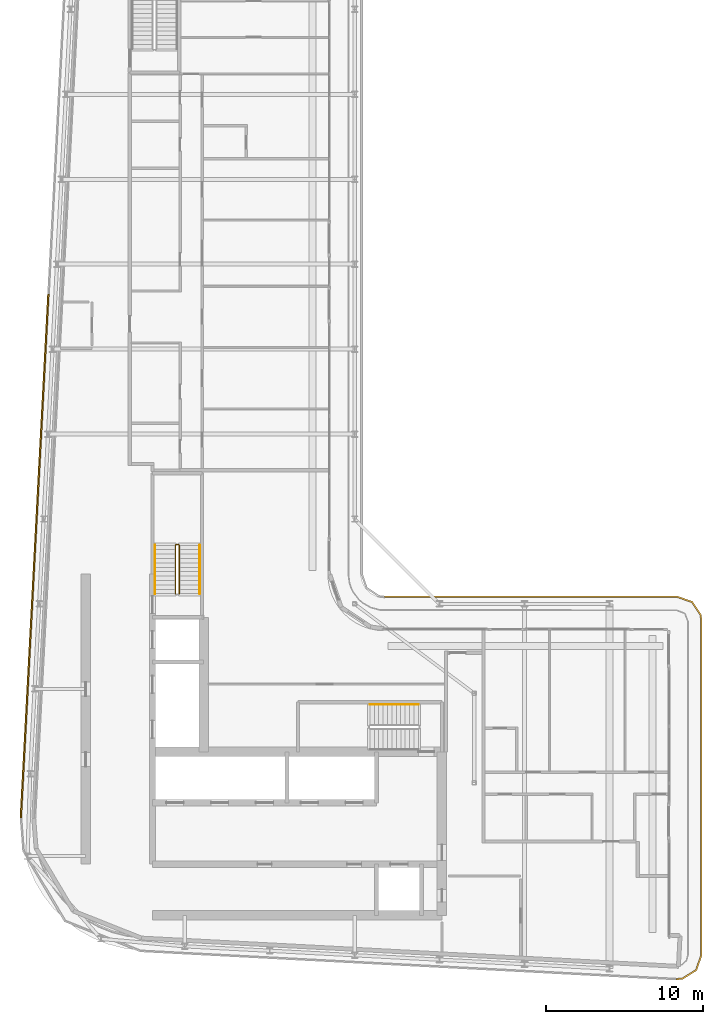
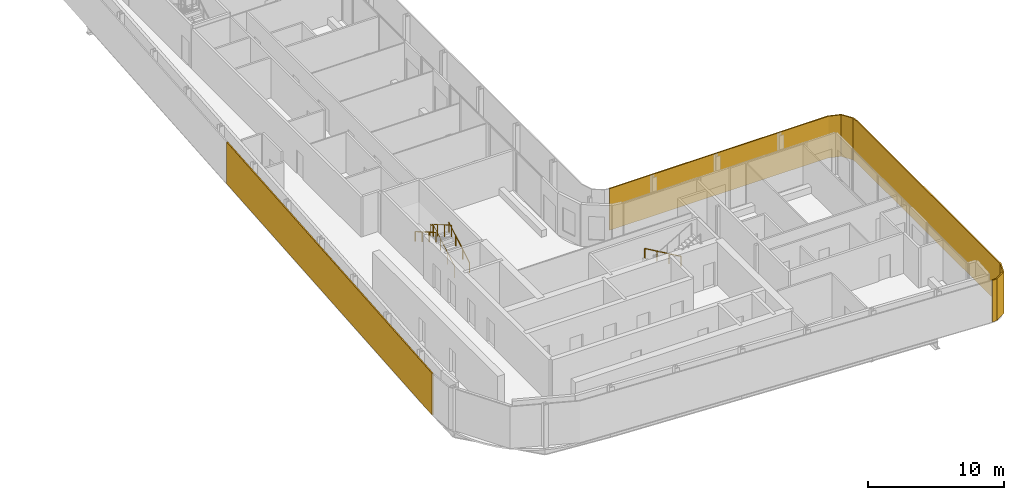
# One storey, part 18 of 21: 4 railings, 2 shading devices.
"""IFC4 building model written with IfcOpenShell, lengths in metres."""

from ifc_helpers import new_model, si_unit, direction, frame, origin, origin_2d, place, context, subcontext, project, spatial, polyline, rectangle, circle, outline, extrude, material, layer, layer_set, type_object, element, save


model = new_model("IFC4")

# Units and contexts
model_context = context("Model", 3, precision=1e-05, world=origin(), true_north=direction((0.0, 1.0)))
body_context = subcontext(model_context, "Body", "Model", "MODEL_VIEW")
ifc_project = project(units=[si_unit("LENGTHUNIT", "METRE"), si_unit("AREAUNIT", "SQUARE_METRE"), si_unit("VOLUMEUNIT", "CUBIC_METRE"), si_unit("PLANEANGLEUNIT", "RADIAN"), si_unit("MASSUNIT", "GRAM", prefix="KILO")], contexts=[model_context])

# Site, building, storey
site_placement = place(None, origin())
site = spatial("IfcSite", under=ifc_project, at=site_placement, CompositionType="ELEMENT")
building_placement = place(site_placement, origin())
building = spatial("IfcBuilding", under=site, at=building_placement, Name="Kheshtan School and Residences Tower", CompositionType="ELEMENT")
storey_placement = place(building_placement, frame((0.0, 0.0, 321.5)))
storey = spatial("IfcBuildingStorey", under=building, at=storey_placement, Name="L76", CompositionType="ELEMENT", Elevation=321.5)

# Shading devices
ifc_material_1 = material(Name="Terracotta baguette, extruded ceramic", Category="masonry")
ifc_layer_1 = layer(ifc_material_1, 0.10009765625)
ifc_layer_set_1 = layer_set([ifc_layer_1], Name="Ledge screen, terracotta baguettes")
shading_device_type_1 = type_object("IfcShadingDeviceType", Name="Ledge screen, terracotta baguettes", PredefinedType="USERDEFINED", material=ifc_layer_set_1)
shading_device_1_placement = place(storey_placement, frame((27.24609375, 48.638916015625, 0.0), z_axis=(0.0, 0.0, 1.0), x_axis=(0.052562536748, 0.998617634398, 0.0)))
element("IfcShadingDevice", 1, at=shading_device_1_placement, inside=storey, type_object=shading_device_type_1, Name="Screen L76 4", ObjectType="BAGUETTE", PredefinedType="USERDEFINED", context=body_context, shape_type="SweptSolid", body=[
    extrude(rectangle(XDim=33.341064453125, YDim=0.10009765625, at=origin_2d()), origin(), (0.0, 0.0, 1.0), 3.75),
])
ifc_material_2 = material(Name="Terracotta lattice, extruded ceramic", Category="masonry")
ifc_layer_2 = layer(ifc_material_2, 0.10009765625)
ifc_layer_set_2 = layer_set([ifc_layer_2], Name="Loggia screen, terracotta lattice")
shading_device_type_2 = type_object("IfcShadingDeviceType", Name="Loggia screen, terracotta lattice", PredefinedType="USERDEFINED", material=ifc_layer_set_2)
shading_device_2_placement = place(storey_placement, origin())
element("IfcShadingDevice", 2, at=shading_device_2_placement, inside=storey, type_object=shading_device_type_2, Name="Screen L76 2", ObjectType="SCREEN", PredefinedType="USERDEFINED", context=body_context, shape_type="SweptSolid", body=[
    extrude(outline(polyline([(49.5, 46.0), (68.10009765625, 46.0), (69.012939453125, 45.68994140625), (69.549072265625, 44.887939453125), (69.60009765625, 44.5), (69.60009765625, 23.285888671875), (69.27001953125, 22.346923828125), (68.424072265625, 21.822021484375), (68.02099609375, 21.7880859375), (68.029052734375, 21.68798828125), (68.4560546875, 21.72412109375), (69.35302734375, 22.281005859375), (69.699951171875, 23.26904296875), (69.699951171875, 44.507080078125), (69.64501953125, 44.924072265625), (69.076904296875, 45.77392578125), (68.116943359375, 46.10009765625), (49.5, 46.10009765625), (49.5, 46.0)])), origin(), (0.0, 0.0, 1.0), 3.75),
])

# Railings
ifc_material_3 = material(Name="Stainless steel balustrade", Category="steel")
railing_type_1 = type_object("IfcRailingType", Name="Stair guard 1100", PredefinedType="GUARDRAIL", material=ifc_material_3)
railing_1_placement = place(storey_placement, frame((36.449951171875, 46.25, 0.16259765625)))
element("IfcRailing", 3, at=railing_1_placement, inside=storey, type_object=railing_type_1, Name="L76 ST2 stair guard 1", PredefinedType="GUARDRAIL", context=body_context, shape_type="SweptSolid", body=[
    extrude(circle(Radius=0.02392578125, at=origin_2d()), frame((0.0, 0.0, 1.076171875), z_axis=(0.0, 0.864920483161, 0.501908913857), x_axis=(-1.0, 0.0, 0.0)), (0.0, 0.0, 1.0), 3.56103515625),
    extrude(circle(Radius=0.02392578125, at=origin_2d()), frame((0.0, 3.080078125, 2.86328125), z_axis=(-0.708833529934, 0.705375805398, 0.0), x_axis=(-0.705375805398, -0.708833529934, 0.0)), (0.0, 0.0, 1.0), 0.070556640625),
    extrude(circle(Radius=0.02392578125, at=origin_2d()), frame((-0.050048828125, 3.1298828125, 2.86328125), z_axis=(-1.0, 0.0, 0.0), x_axis=(0.0, -1.0, 0.0)), (0.0, 0.0, 1.0), 0.14990234375),
    extrude(circle(Radius=0.02392578125, at=origin_2d()), frame((-0.199951171875, 3.1298828125, 2.86328125), z_axis=(-0.282336740067, -0.280959487676, 0.917250092119), x_axis=(0.705375805398, -0.708833529934, 0.0)), (0.0, 0.0, 1.0), 0.17724609375),
    extrude(circle(Radius=0.02392578125, at=origin_2d()), frame((-0.25, 3.080078125, 3.02587890625), z_axis=(0.0, -0.864920483161, 0.501908913857), x_axis=(1.0, 0.0, 0.0)), (0.0, 0.0, 1.0), 3.56103515625),
    extrude(circle(Radius=0.02099609375, at=origin_2d()), origin(), (0.0, 0.0, 1.0), 1.052001953125),
    extrude(circle(Radius=0.02099609375, at=origin_2d()), frame((0.0, 1.026611328125, 0.595703125)), (0.0, 0.0, 1.0), 1.052001953125),
    extrude(circle(Radius=0.02099609375, at=origin_2d()), frame((0.0, 2.053466796875, 1.191650390625)), (0.0, 0.0, 1.0), 1.052001953125),
    extrude(circle(Radius=0.02099609375, at=origin_2d()), frame((0.0, 3.080078125, 1.787353515625)), (0.0, 0.0, 1.0), 1.052001953125),
    extrude(circle(Radius=0.02099609375, at=origin_2d()), frame((-0.050048828125, 3.1298828125, 1.787353515625)), (0.0, 0.0, 1.0), 1.052001953125),
    extrude(circle(Radius=0.02099609375, at=origin_2d()), frame((-0.199951171875, 3.1298828125, 1.787353515625)), (0.0, 0.0, 1.0), 1.052001953125),
    extrude(circle(Radius=0.02099609375, at=origin_2d()), frame((-0.25, 3.080078125, 1.949951171875)), (0.0, 0.0, 1.0), 1.052001953125),
    extrude(circle(Radius=0.02099609375, at=origin_2d()), frame((-0.25, 2.053466796875, 2.545654296875)), (0.0, 0.0, 1.0), 1.052001953125),
    extrude(circle(Radius=0.02099609375, at=origin_2d()), frame((-0.25, 1.026611328125, 3.1416015625)), (0.0, 0.0, 1.0), 1.052001953125),
    extrude(circle(Radius=0.02099609375, at=origin_2d()), frame((-0.25, 0.0, 3.7373046875)), (0.0, 0.0, 1.0), 1.052001953125),
])
ifc_material_4 = material(Name="Stainless steel handrail", Category="steel")
railing_type_2 = type_object("IfcRailingType", Name="Stair handrail 900", PredefinedType="HANDRAIL", material=ifc_material_4)
railing_2_placement = place(storey_placement, frame((51.64990234375, 39.199951171875, 0.16259765625)))
element("IfcRailing", 4, at=railing_2_placement, inside=storey, type_object=railing_type_2, Name="L76 ST1 stair handrail 1", PredefinedType="HANDRAIL", context=body_context, shape_type="SweptSolid", body=[
    extrude(circle(Radius=0.02392578125, at=origin_2d()), frame((0.0, 0.0, 0.8759765625), z_axis=(-0.864903211148, 0.0, 0.501938676878), x_axis=(0.0, -1.0, 0.0)), (0.0, 0.0, 1.0), 3.560791015625),
    extrude(circle(Radius=0.02099609375, at=origin_2d()), origin(), (0.0, 0.0, 1.0), 0.851806640625),
    extrude(circle(Radius=0.02099609375, at=origin_2d()), frame((-1.026611328125, 0.0, 0.595703125)), (0.0, 0.0, 1.0), 0.851806640625),
    extrude(circle(Radius=0.02099609375, at=origin_2d()), frame((-2.05322265625, 0.0, 1.191650390625)), (0.0, 0.0, 1.0), 0.851806640625),
    extrude(circle(Radius=0.02099609375, at=origin_2d()), frame((-3.079833984375, 0.0, 1.787353515625)), (0.0, 0.0, 1.0), 0.851806640625),
])
railing_3_placement = place(storey_placement, frame((37.75, 46.25, 0.16259765625)))
element("IfcRailing", 5, at=railing_3_placement, inside=storey, type_object=railing_type_2, Name="L76 ST2 stair handrail 1", PredefinedType="HANDRAIL", context=body_context, shape_type="SweptSolid", body=[
    extrude(circle(Radius=0.02392578125, at=origin_2d()), frame((0.0, 0.0, 0.8759765625), z_axis=(0.0, 0.864920483161, 0.501908913857), x_axis=(-1.0, 0.0, 0.0)), (0.0, 0.0, 1.0), 3.56103515625),
    extrude(circle(Radius=0.02099609375, at=origin_2d()), origin(), (0.0, 0.0, 1.0), 0.851806640625),
    extrude(circle(Radius=0.02099609375, at=origin_2d()), frame((0.0, 1.026611328125, 0.595703125)), (0.0, 0.0, 1.0), 0.851806640625),
    extrude(circle(Radius=0.02099609375, at=origin_2d()), frame((0.0, 2.053466796875, 1.191650390625)), (0.0, 0.0, 1.0), 0.851806640625),
    extrude(circle(Radius=0.02099609375, at=origin_2d()), frame((0.0, 3.080078125, 1.787353515625)), (0.0, 0.0, 1.0), 0.851806640625),
])
railing_4_placement = place(storey_placement, frame((34.89990234375, 49.330078125, 2.112548828125)))
element("IfcRailing", 6, at=railing_4_placement, inside=storey, type_object=railing_type_2, Name="L76 ST2 stair handrail 2", PredefinedType="HANDRAIL", context=body_context, shape_type="SweptSolid", body=[
    extrude(circle(Radius=0.02392578125, at=origin_2d()), frame((0.0, 0.0, 0.8759765625), z_axis=(0.0, -0.864920483161, 0.501908913857), x_axis=(1.0, 0.0, 0.0)), (0.0, 0.0, 1.0), 3.56103515625),
    extrude(circle(Radius=0.02099609375, at=origin_2d()), origin(), (0.0, 0.0, 1.0), 0.851806640625),
    extrude(circle(Radius=0.02099609375, at=origin_2d()), frame((0.0, -1.026611328125, 0.595703125)), (0.0, 0.0, 1.0), 0.851806640625),
    extrude(circle(Radius=0.02099609375, at=origin_2d()), frame((0.0, -2.053466796875, 1.191650390625)), (0.0, 0.0, 1.0), 0.851806640625),
    extrude(circle(Radius=0.02099609375, at=origin_2d()), frame((0.0, -3.080078125, 1.787353515625)), (0.0, 0.0, 1.0), 0.851806640625),
])

save(model, "model.ifc")
